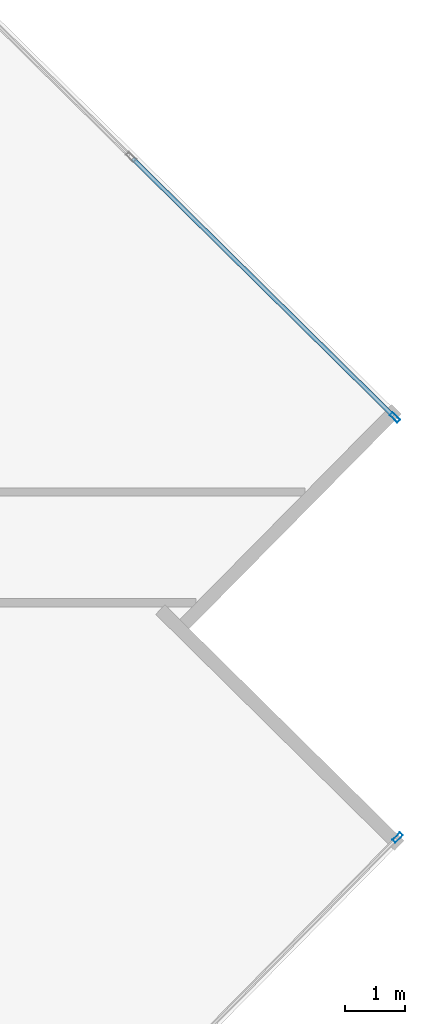
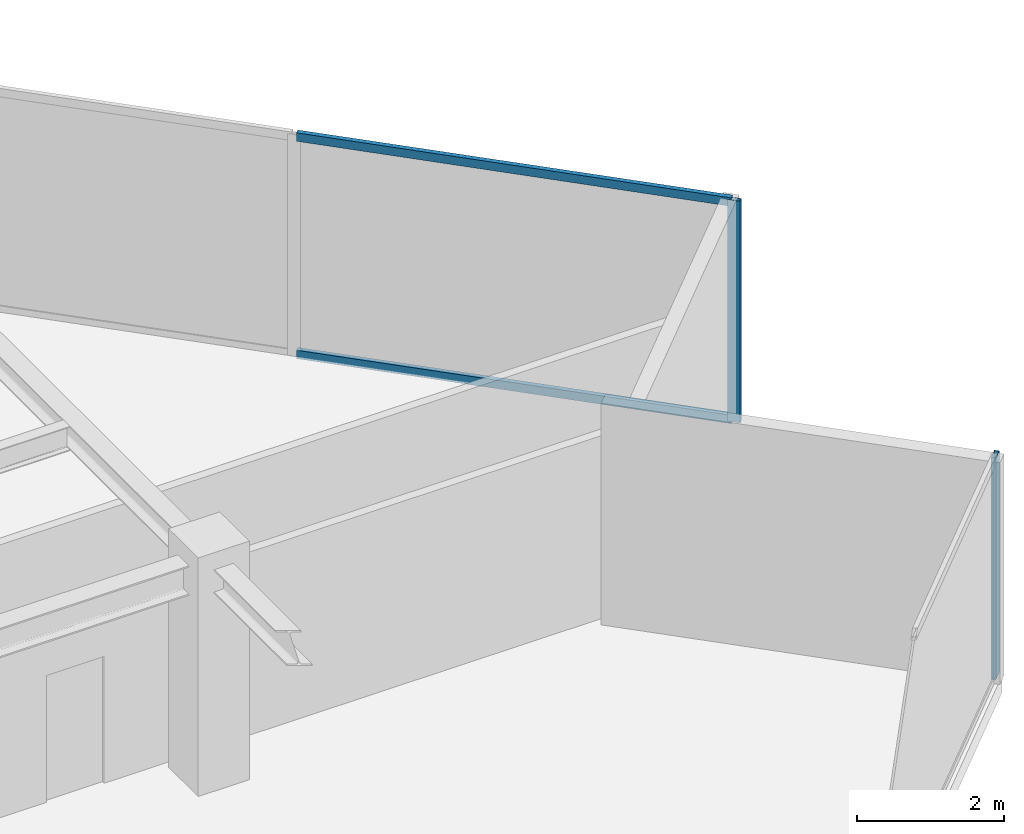
# One storey, part 12 of 24: 4 members, 2 elements without a shape of their own.
"""IFC4 building model written with IfcOpenShell, lengths in metres."""

from ifc_helpers import new_model, si_unit, direction, frame, origin, origin_2d, place, context, subcontext, project, spatial, hollow_rectangle, extrude, source, transform, mapped, material, material_profile, profile_set, type_object, type_shapes, element, aggregate, save


model = new_model("IFC4")

# Units and contexts
model_context = context("Model", 3, precision=1e-05, world=origin(), true_north=direction((0.0, 1.0)))
body_context = subcontext(model_context, "Body", "Model", "MODEL_VIEW")
ifc_project = project(units=[si_unit("LENGTHUNIT", "METRE"), si_unit("AREAUNIT", "SQUARE_METRE"), si_unit("VOLUMEUNIT", "CUBIC_METRE"), si_unit("PLANEANGLEUNIT", "RADIAN"), si_unit("MASSUNIT", "GRAM", prefix="KILO")], contexts=[model_context])

# Site, building, storey
site_placement = place(None, origin())
site = spatial("IfcSite", under=ifc_project, at=site_placement, CompositionType="ELEMENT")
building_placement = place(site_placement, origin())
building = spatial("IfcBuilding", under=site, at=building_placement, Name="Krantzveldt Concourse Tower", CompositionType="ELEMENT")
storey_placement = place(building_placement, frame((0.0, 0.0, 234.949951171875)))
storey = spatial("IfcBuildingStorey", under=building, at=storey_placement, Name="L57", CompositionType="ELEMENT", Elevation=234.949951171875)

# Curtain wall, member
ifc_material = material(Name="Anodised aluminium 6063-T6", Category="aluminium")
curtain_wall_type = type_object("IfcCurtainWallType", Name="CW3", PredefinedType="USERDEFINED", material=ifc_material)
curtain_wall_1_placement = place(storey_placement, origin())
curtain_wall_1 = element("IfcCurtainWall", 1, at=curtain_wall_1_placement, inside=storey, type_object=curtain_wall_type, Name="CW-L57-F07", ObjectType="UNITISED CURTAIN WALL", PredefinedType="USERDEFINED")
ifc_material_profile_1 = material_profile(ifc_material, hollow_rectangle(XDim=0.070068359375, YDim=0.179931640625, WallThickness=0.0048828125, at=origin_2d()), Name="Anodised aluminium 6063-T6", Category="aluminium")
ifc_profile_set_1 = profile_set([ifc_material_profile_1], Name="Anodised aluminium 6063-T6 - ALU-MULL 180x70x5")
member_type_1 = type_object("IfcMemberType", Name="CW-MUL-180", PredefinedType="MULLION", material=ifc_profile_set_1)
shared_shape_1 = source(origin(), body_context, "Body", "SweptSolid", [
    extrude(hollow_rectangle(XDim=0.070068359375, YDim=0.179931640625, WallThickness=0.0048828125, at=origin_2d()), origin(), (0.0, 0.0, 1.0), 3.670166015625),
])
type_shapes(member_type_1, [shared_shape_1])
member_1_placement = place(storey_placement, frame((61.389892578125, 23.369384765625, 0.0), z_axis=(0.0, 0.0, 1.0), x_axis=(-0.711719700179, 0.702463570854, 0.0)))
member_1 = element("IfcMember", 2, at=member_1_placement, type_object=member_type_1, Name="CW-Z34 mullion 6", PredefinedType="MULLION", context=body_context, shape_type="MappedRepresentation", body=[
    mapped(shared_shape_1, transform((0.0, 0.0, 0.0), x_axis=(1.0, 0.0, 0.0), y_axis=(0.0, 1.0, 0.0), z_axis=(0.0, 0.0, 1.0), scale=1.0)),
])
aggregate(curtain_wall_1, [member_1])

# Curtain wall, members
curtain_wall_2_placement = place(storey_placement, origin())
curtain_wall_2 = element("IfcCurtainWall", 3, at=curtain_wall_2_placement, inside=storey, type_object=curtain_wall_type, Name="CW-L57-F10", ObjectType="UNITISED CURTAIN WALL", PredefinedType="USERDEFINED")
member_2_placement = place(storey_placement, frame((61.343994140625, 30.362548828125, 0.0), z_axis=(0.0, 0.0, 1.0), x_axis=(-0.702463570854, -0.711719700179, 0.0)))
member_2 = element("IfcMember", 4, at=member_2_placement, type_object=member_type_1, Name="CW-Z34 mullion 1", PredefinedType="MULLION", context=body_context, shape_type="MappedRepresentation", body=[
    mapped(shared_shape_1, transform((0.0, 0.0, 0.0), x_axis=(1.0, 0.0, 0.0), y_axis=(0.0, 1.0, 0.0), z_axis=(0.0, 0.0, 1.0), scale=1.0)),
])
ifc_material_profile_2 = material_profile(ifc_material, hollow_rectangle(XDim=0.070068359375, YDim=0.139892578125, WallThickness=0.0048828125, at=origin_2d()), Name="Anodised aluminium 6063-T6", Category="aluminium")
ifc_profile_set_2 = profile_set([ifc_material_profile_2], Name="Anodised aluminium 6063-T6 - ALU-TRAN 140x70x5")
member_type_2 = type_object("IfcMemberType", Name="CW-TRN-150", PredefinedType="USERDEFINED", material=ifc_profile_set_2)
shared_shape_2 = source(origin(), body_context, "Body", "SweptSolid", [
    extrude(hollow_rectangle(XDim=0.070068359375, YDim=0.139892578125, WallThickness=0.0048828125, at=origin_2d()), origin(), (0.0, 0.0, 1.0), 6.094970703125),
])
type_shapes(member_type_2, [shared_shape_2])
member_3_placement = place(storey_placement, frame((61.319091796875, 30.38720703125, 0.03515625), z_axis=(-0.711718134154, 0.702465157511, 0.0), x_axis=(-0.702465157511, -0.711718134154, 0.0)))
member_3 = element("IfcMember", 5, at=member_3_placement, type_object=member_type_2, Name="CW-Z34 transom 1.1", ObjectType="TRANSOM", PredefinedType="USERDEFINED", context=body_context, shape_type="MappedRepresentation", body=[
    mapped(shared_shape_2, transform((0.0, 0.0, 0.0), x_axis=(1.0, 0.0, 0.0), y_axis=(0.0, 1.0, 0.0), z_axis=(0.0, 0.0, 1.0), scale=1.0)),
])
member_4_placement = place(storey_placement, frame((61.319091796875, 30.38720703125, 3.635009765625), z_axis=(-0.711718134154, 0.702465157511, 0.0), x_axis=(-0.702465157511, -0.711718134154, 0.0)))
member_4 = element("IfcMember", 6, at=member_4_placement, type_object=member_type_2, Name="CW-Z34 transom 1.2", ObjectType="TRANSOM", PredefinedType="USERDEFINED", context=body_context, shape_type="MappedRepresentation", body=[
    mapped(shared_shape_2, transform((0.0, 0.0, 0.0), x_axis=(1.0, 0.0, 0.0), y_axis=(0.0, 1.0, 0.0), z_axis=(0.0, 0.0, 1.0), scale=1.0)),
])
aggregate(curtain_wall_2, [member_2, member_3, member_4])

save(model, "model.ifc")
